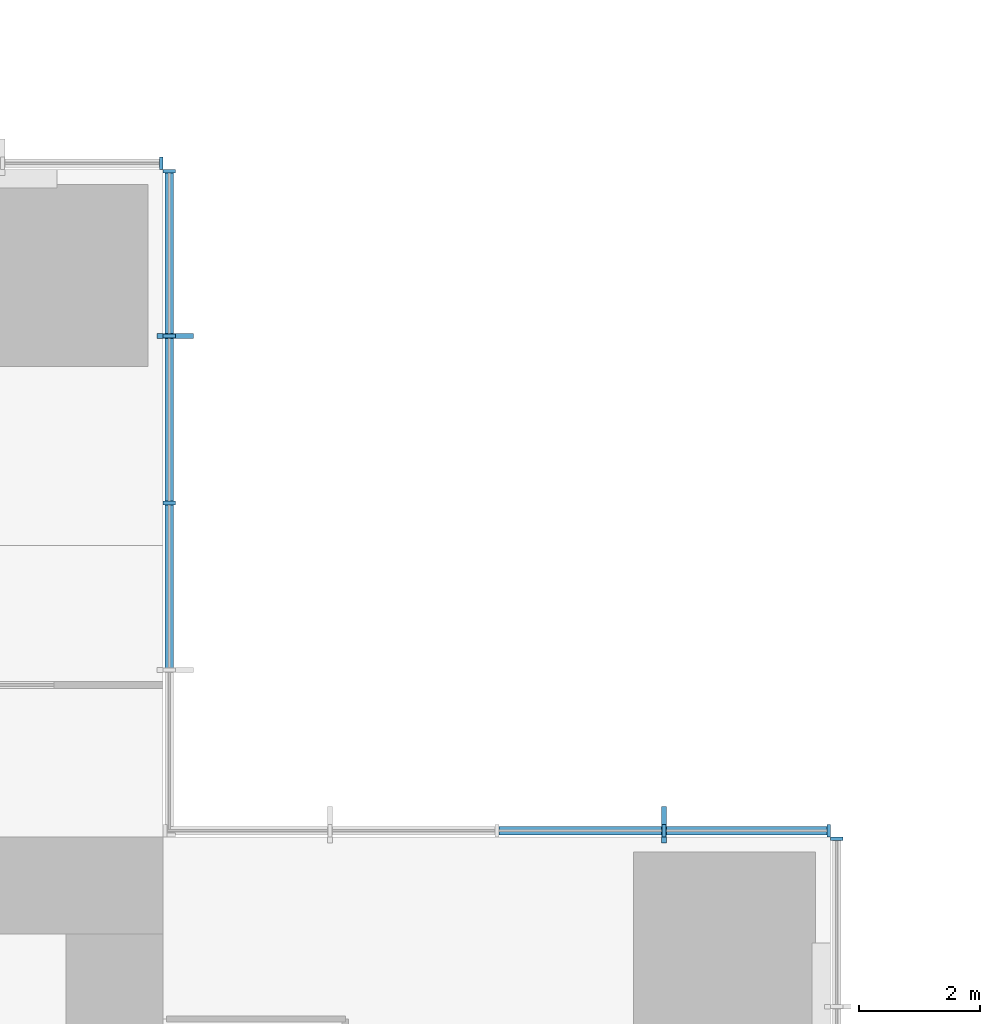
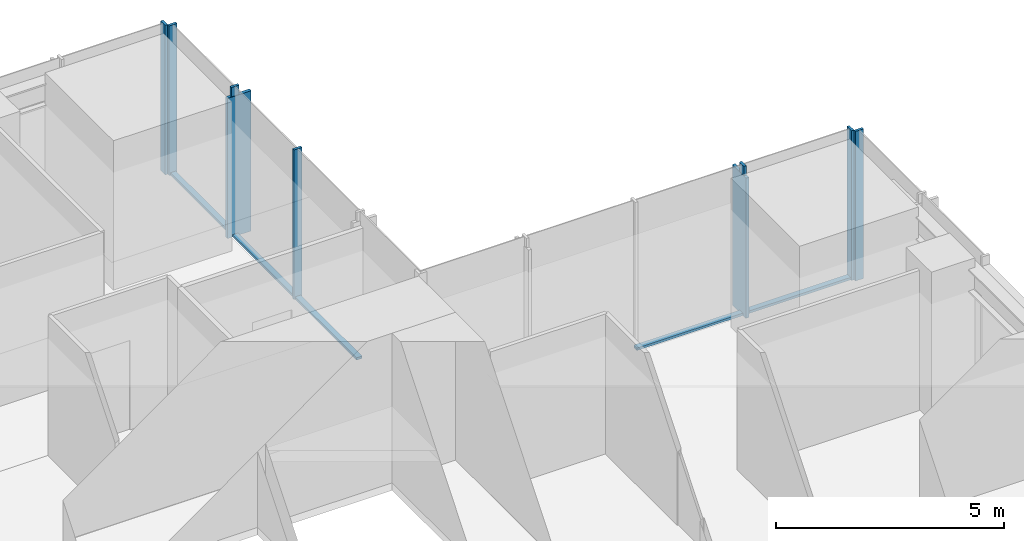
# One storey, part 6 of 13: 14 members, 4 elements without a shape of their own.
"""IFC4 building model written with IfcOpenShell, lengths in metres."""

from ifc_helpers import new_model, si_unit, direction, frame, origin, origin_2d, place, context, subcontext, project, spatial, rectangle, extrude, material, material_profile, profile_set, type_object, element, aggregate, save


model = new_model("IFC4")

# Units and contexts
model_context = context("Model", 3, precision=1e-05, world=origin(), true_north=direction((0.0, 1.0)))
body_context = subcontext(model_context, "Body", "Model", "MODEL_VIEW")
ifc_project = project(units=[si_unit("LENGTHUNIT", "METRE"), si_unit("AREAUNIT", "SQUARE_METRE"), si_unit("VOLUMEUNIT", "CUBIC_METRE"), si_unit("PLANEANGLEUNIT", "RADIAN"), si_unit("MASSUNIT", "GRAM", prefix="KILO")], contexts=[model_context])

# Site, building, storey
site_placement = place(None, origin())
site = spatial("IfcSite", under=ifc_project, at=site_placement, CompositionType="ELEMENT")
building_placement = place(site_placement, origin())
building = spatial("IfcBuilding", under=site, at=building_placement, Name="Svetlomir Tower", CompositionType="ELEMENT")
storey_placement = place(building_placement, frame((0.0, 0.0, 140.5)))
storey = spatial("IfcBuildingStorey", under=building, at=storey_placement, Name="L33", CompositionType="ELEMENT", Elevation=140.5)

# Curtain wall, member
ifc_material_1 = material(Name="Bronze anodised aluminium curtain wall", Category="aluminium")
curtain_wall_type = type_object("IfcCurtainWallType", Name="CURTAIN WALL CW1 TOWER OFFICE", PredefinedType="NOTDEFINED", material=ifc_material_1)
curtain_wall_1_placement = place(storey_placement, origin())
curtain_wall_1 = element("IfcCurtainWall", 1, at=curtain_wall_1_placement, inside=storey, type_object=curtain_wall_type, Name="Curtain wall CW1 L33", PredefinedType="NOTDEFINED")
ifc_material_2 = material(Name="Bronze anodised aluminium", Category="aluminium")
ifc_material_profile_1 = material_profile(ifc_material_2, rectangle(XDim=0.080078125, YDim=0.60009765625, at=origin_2d()), Name="FIN 80x600")
ifc_profile_set_1 = profile_set([ifc_material_profile_1], Name="Bronze anodised aluminium 6063-T6")
member_type_1 = type_object("IfcMemberType", Name="BRONZE FIN 80x600", PredefinedType="USERDEFINED", material=ifc_profile_set_1)
member_1_placement = place(storey_placement, frame((39.25, 31.199951171875, 0.0), z_axis=(0.0, 0.0, 1.0), x_axis=(1.0, 0.0, 0.0)))
member_1 = element("IfcMember", 2, at=member_1_placement, type_object=member_type_1, Name="Bronze fin L33", ObjectType="FIN", PredefinedType="USERDEFINED", context=body_context, shape_type="SweptSolid", body=[
    extrude(rectangle(XDim=0.080078125, YDim=0.60009765625, at=origin_2d()), origin(), (0.0, 0.0, 1.0), 3.75),
])

curtain_wall_2_placement = place(storey_placement, origin())
curtain_wall_2 = element("IfcCurtainWall", 3, at=curtain_wall_2_placement, inside=storey, type_object=curtain_wall_type, Name="Curtain wall CW1 L33", PredefinedType="NOTDEFINED")
member_2_placement = place(storey_placement, frame((31.199951171875, 39.25, 0.0), z_axis=(0.0, 0.0, 1.0), x_axis=(0.0, 1.0, 0.0)))
member_2 = element("IfcMember", 4, at=member_2_placement, type_object=member_type_1, Name="Bronze fin L33", ObjectType="FIN", PredefinedType="USERDEFINED", context=body_context, shape_type="SweptSolid", body=[
    extrude(rectangle(XDim=0.080078125, YDim=0.60009765625, at=origin_2d()), origin(), (0.0, 0.0, 1.0), 3.75),
])

curtain_wall_3_placement = place(storey_placement, origin())
curtain_wall_3 = element("IfcCurtainWall", 5, at=curtain_wall_3_placement, inside=storey, type_object=curtain_wall_type, Name="Curtain wall CW1 L33", PredefinedType="NOTDEFINED")
ifc_material_3 = material(Name="Bronze anodised aluminium", Category="aluminium")
ifc_material_profile_2 = material_profile(ifc_material_3, rectangle(XDim=0.06494140625, YDim=0.199951171875, at=origin_2d()), Name="AL 65x200")
ifc_profile_set_2 = profile_set([ifc_material_profile_2], Name="Bronze anodised aluminium 6063-T6")
member_type_2 = type_object("IfcMemberType", Name="CW1 MULLION 65x200", PredefinedType="MULLION", material=ifc_profile_set_2)
member_3_placement = place(storey_placement, frame((42.10009765625, 30.967529296875, 0.0), z_axis=(0.0, 0.0, 1.0), x_axis=(0.0, 1.0, 0.0)))
member_3 = element("IfcMember", 6, at=member_3_placement, type_object=member_type_2, Name="CW1 mullion 3", PredefinedType="MULLION", context=body_context, shape_type="SweptSolid", body=[
    extrude(rectangle(XDim=0.06494140625, YDim=0.199951171875, at=origin_2d()), origin(), (0.0, 0.0, 1.0), 4.0),
])
aggregate(curtain_wall_3, [member_3])

# Member
member_4_placement = place(storey_placement, frame((41.967529296875, 31.10009765625, 0.0), z_axis=(0.0, 0.0, 1.0), x_axis=(-1.0, 0.0, 0.0)))
member_4 = element("IfcMember", 7, at=member_4_placement, type_object=member_type_2, Name="CW1 mullion 1", PredefinedType="MULLION", context=body_context, shape_type="SweptSolid", body=[
    extrude(rectangle(XDim=0.06494140625, YDim=0.199951171875, at=origin_2d()), origin(), (0.0, 0.0, 1.0), 4.0),
])

member_5_placement = place(storey_placement, frame((39.25, 31.10009765625, 0.0), z_axis=(0.0, 0.0, 1.0), x_axis=(-1.0, 0.0, 0.0)))
member_5 = element("IfcMember", 8, at=member_5_placement, type_object=member_type_2, Name="CW1 mullion 2", PredefinedType="MULLION", context=body_context, shape_type="SweptSolid", body=[
    extrude(rectangle(XDim=0.06494140625, YDim=0.199951171875, at=origin_2d()), origin(), (0.0, 0.0, 1.0), 4.0),
])

member_6_placement = place(storey_placement, frame((31.10009765625, 36.5, 0.0), z_axis=(0.0, 0.0, 1.0), x_axis=(0.0, 1.0, 0.0)))
member_6 = element("IfcMember", 9, at=member_6_placement, type_object=member_type_2, Name="CW1 mullion 3", PredefinedType="MULLION", context=body_context, shape_type="SweptSolid", body=[
    extrude(rectangle(XDim=0.06494140625, YDim=0.199951171875, at=origin_2d()), origin(), (0.0, 0.0, 1.0), 4.0),
])

member_7_placement = place(storey_placement, frame((31.10009765625, 39.25, 0.0), z_axis=(0.0, 0.0, 1.0), x_axis=(0.0, 1.0, 0.0)))
member_7 = element("IfcMember", 10, at=member_7_placement, type_object=member_type_2, Name="CW1 mullion 4", PredefinedType="MULLION", context=body_context, shape_type="SweptSolid", body=[
    extrude(rectangle(XDim=0.06494140625, YDim=0.199951171875, at=origin_2d()), origin(), (0.0, 0.0, 1.0), 4.0),
])

member_8_placement = place(storey_placement, frame((31.10009765625, 41.967529296875, 0.0), z_axis=(0.0, 0.0, 1.0), x_axis=(0.0, 1.0, 0.0)))
member_8 = element("IfcMember", 11, at=member_8_placement, type_object=member_type_2, Name="CW1 mullion 5", PredefinedType="MULLION", context=body_context, shape_type="SweptSolid", body=[
    extrude(rectangle(XDim=0.06494140625, YDim=0.199951171875, at=origin_2d()), origin(), (0.0, 0.0, 1.0), 4.0),
])

# Curtain wall, member
curtain_wall_4_placement = place(storey_placement, origin())
curtain_wall_4 = element("IfcCurtainWall", 12, at=curtain_wall_4_placement, inside=storey, type_object=curtain_wall_type, Name="Curtain wall CW1 L33", PredefinedType="NOTDEFINED")
member_9_placement = place(storey_placement, frame((30.967529296875, 42.10009765625, 0.0), z_axis=(0.0, 0.0, 1.0), x_axis=(-1.0, 0.0, 0.0)))
member_9 = element("IfcMember", 13, at=member_9_placement, type_object=member_type_2, Name="CW1 mullion 1", PredefinedType="MULLION", context=body_context, shape_type="SweptSolid", body=[
    extrude(rectangle(XDim=0.06494140625, YDim=0.199951171875, at=origin_2d()), origin(), (0.0, 0.0, 1.0), 4.0),
])
aggregate(curtain_wall_4, [member_9])

# Member
ifc_material_4 = material(Name="Bronze anodised aluminium", Category="aluminium")
ifc_material_profile_3 = material_profile(ifc_material_4, rectangle(XDim=0.139892578125, YDim=0.06494140625, at=origin_2d()), Name="AL 140x65")
ifc_profile_set_3 = profile_set([ifc_material_profile_3], Name="Bronze anodised aluminium 6063-T6")
member_type_3 = type_object("IfcMemberType", Name="CW1 TRANSOM 65x140", PredefinedType="USERDEFINED", material=ifc_profile_set_3)
member_10_placement = place(storey_placement, frame((41.93505859375, 31.10009765625, 0.032470703125), z_axis=(-1.0, 0.0, 0.0), x_axis=(0.0, -1.0, 0.0)))
member_10 = element("IfcMember", 14, at=member_10_placement, type_object=member_type_3, Name="CW1 transom 1.1", ObjectType="TRANSOM", PredefinedType="USERDEFINED", context=body_context, shape_type="SweptSolid", body=[
    extrude(rectangle(XDim=0.139892578125, YDim=0.06494140625, at=origin_2d()), origin(), (0.0, 0.0, 1.0), 2.652587890625),
])

member_11_placement = place(storey_placement, frame((39.217529296875, 31.10009765625, 0.032470703125), z_axis=(-1.0, 0.0, 0.0), x_axis=(0.0, -1.0, 0.0)))
member_11 = element("IfcMember", 15, at=member_11_placement, type_object=member_type_3, Name="CW1 transom 2.1", ObjectType="TRANSOM", PredefinedType="USERDEFINED", context=body_context, shape_type="SweptSolid", body=[
    extrude(rectangle(XDim=0.139892578125, YDim=0.06494140625, at=origin_2d()), origin(), (0.0, 0.0, 1.0), 2.68505859375),
])

aggregate(curtain_wall_1, [member_4, member_5, member_10, member_11, member_1])

member_12_placement = place(storey_placement, frame((31.10009765625, 33.782470703125, 0.032470703125), z_axis=(0.0, 1.0, 0.0), x_axis=(-1.0, 0.0, 0.0)))
member_12 = element("IfcMember", 16, at=member_12_placement, type_object=member_type_3, Name="CW1 transom 2.1", ObjectType="TRANSOM", PredefinedType="USERDEFINED", context=body_context, shape_type="SweptSolid", body=[
    extrude(rectangle(XDim=0.139892578125, YDim=0.06494140625, at=origin_2d()), origin(), (0.0, 0.0, 1.0), 2.68505859375),
])

member_13_placement = place(storey_placement, frame((31.10009765625, 36.532470703125, 0.032470703125), z_axis=(0.0, 1.0, 0.0), x_axis=(-1.0, 0.0, 0.0)))
member_13 = element("IfcMember", 17, at=member_13_placement, type_object=member_type_3, Name="CW1 transom 3.1", ObjectType="TRANSOM", PredefinedType="USERDEFINED", context=body_context, shape_type="SweptSolid", body=[
    extrude(rectangle(XDim=0.139892578125, YDim=0.06494140625, at=origin_2d()), origin(), (0.0, 0.0, 1.0), 2.68505859375),
])

member_14_placement = place(storey_placement, frame((31.10009765625, 39.282470703125, 0.032470703125), z_axis=(0.0, 1.0, 0.0), x_axis=(-1.0, 0.0, 0.0)))
member_14 = element("IfcMember", 18, at=member_14_placement, type_object=member_type_3, Name="CW1 transom 4.1", ObjectType="TRANSOM", PredefinedType="USERDEFINED", context=body_context, shape_type="SweptSolid", body=[
    extrude(rectangle(XDim=0.139892578125, YDim=0.06494140625, at=origin_2d()), origin(), (0.0, 0.0, 1.0), 2.652587890625),
])

aggregate(curtain_wall_2, [member_6, member_7, member_8, member_12, member_13, member_14, member_2])

save(model, "model.ifc")
